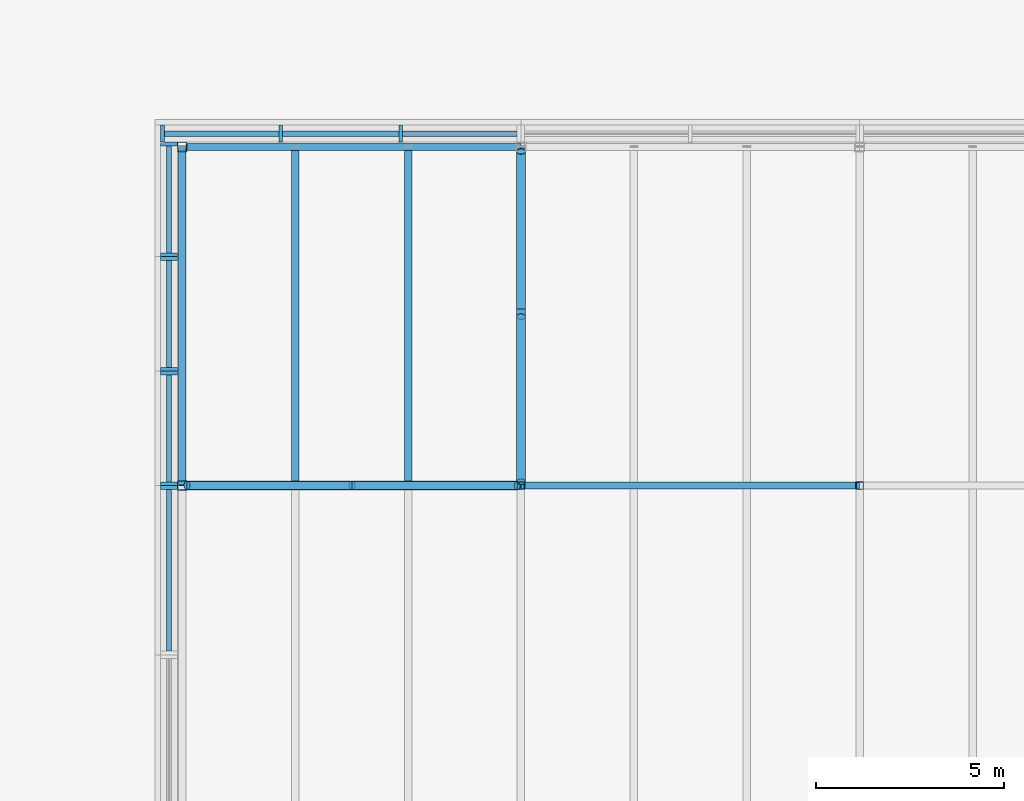
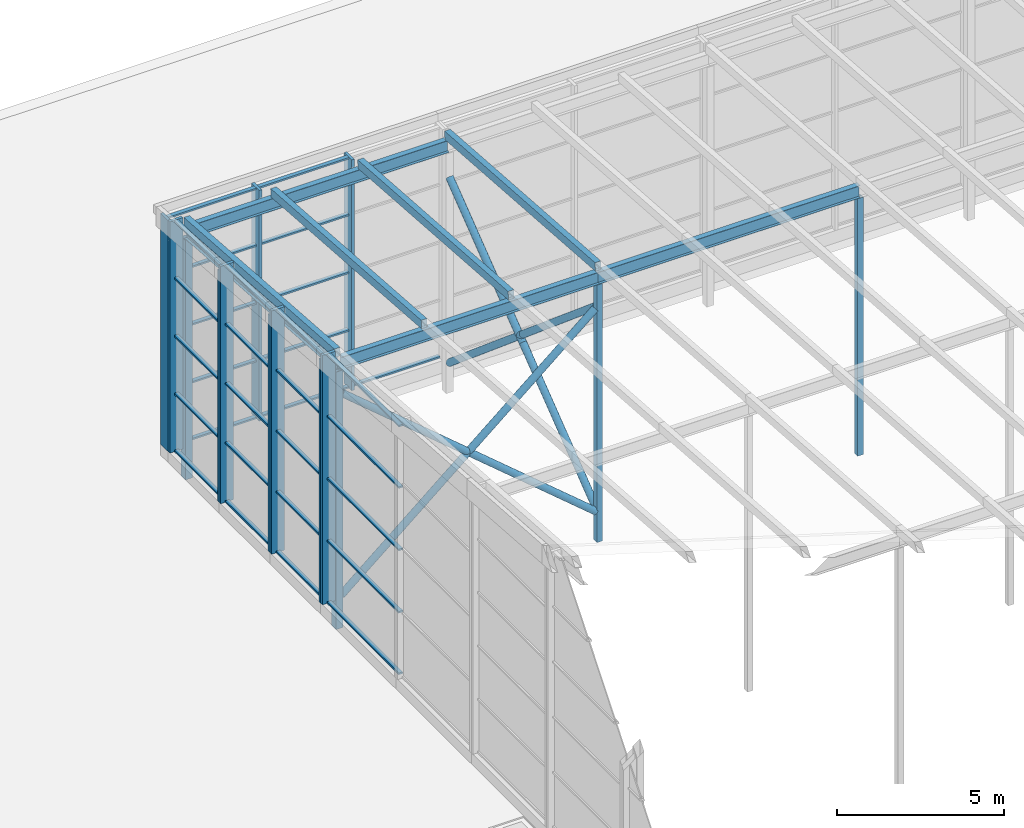
# One storey, part 35 of 84: 57 members, 4 beams, 5 elements without a shape of their own.
"""IFC4 building model written with IfcOpenShell, lengths in metres."""

import ifcopenshell
import ifcopenshell.guid

model = None  # the IFC model being written
_history = None  # IfcOwnerHistory: only IFC2X3 demands one
_inside = {}  # id of a spatial element -> (the spatial element, [elements in it])
_under = {}  # id of a project, library or spatial element -> (it, [spatial elements below it])
_declared = {}  # id of a project -> (the project, [libraries it declares])
_typed = {}  # id of a type object -> (the type object, [elements of that type])
_made_of = {}  # id of a material, layer set ... -> (it, [elements and type objects made of it])


def new_model(schema):
    """Start an empty IFC model of exactly this schema.

    Asked for "IFC4X3", IfcOpenShell would pick the latest addendum, in which some entities
    have other attributes; the version numbers below select the first issue.
    IFC2X3 requires an IfcOwnerHistory on every rooted entity: one is made here for all.
    """
    global model, _history
    if schema == "IFC4X3":
        model = ifcopenshell.file(schema_version=(4, 3, 0, 0))
    else:
        model = ifcopenshell.file(schema=schema)
    _inside.clear()
    _under.clear()
    _declared.clear()
    _typed.clear()
    _made_of.clear()
    _history = None
    if model.schema == "IFC2X3":
        org = make("IfcOrganization", Name="unknown")
        user = make(
            "IfcPersonAndOrganization",
            ThePerson=make("IfcPerson", FamilyName="unknown"),
            TheOrganization=org,
        )
        app = make(
            "IfcApplication",
            ApplicationDeveloper=org,
            Version="unknown",
            ApplicationFullName="unknown",
            ApplicationIdentifier="unknown",
        )
        _history = make(
            "IfcOwnerHistory",
            OwningUser=user,
            OwningApplication=app,
            ChangeAction="ADDED",
            CreationDate=0,
        )
    return model


def make(cls, **values):
    """One entity of the class cls with the attributes given. An attribute that is None is left unset."""
    return model.create_entity(
        cls, **{name: value for name, value in values.items() if value is not None}
    )


def rooted(cls, **values):
    """An entity with a GlobalId (a new one), such as an element, a storey or a relation."""
    return make(cls, GlobalId=ifcopenshell.guid.new(), OwnerHistory=_history, **values)


def si_unit(unit_type, name, prefix=None):
    """IfcSIUnit, for example si_unit("LENGTHUNIT", "METRE", prefix="MILLI")."""
    return make("IfcSIUnit", UnitType=unit_type, Prefix=prefix, Name=name)


def assignment(units):
    """IfcUnitAssignment: the units of a project."""
    return None if units is None else make("IfcUnitAssignment", Units=units)


def point(xyz):
    """IfcCartesianPoint."""
    return None if xyz is None else make("IfcCartesianPoint", Coordinates=xyz)


def direction(xyz):
    """IfcDirection."""
    return None if xyz is None else make("IfcDirection", DirectionRatios=xyz)


def frame(location, z_axis=None, x_axis=None):
    """IfcAxis2Placement3D, a coordinate frame: its origin and axes. An axis left out is left unset."""
    return make(
        "IfcAxis2Placement3D",
        Location=point(location),
        Axis=direction(z_axis),
        RefDirection=direction(x_axis),
    )


def frame_2d(location, x_axis=None):
    """IfcAxis2Placement2D, a coordinate frame in the plane: its origin and x axis."""
    return make(
        "IfcAxis2Placement2D", Location=point(location), RefDirection=direction(x_axis)
    )


def origin():
    """The frame at (0, 0, 0) with its axes left unset."""
    return frame((0.0, 0.0, 0.0))


def origin_2d():
    """The frame at (0, 0) in the plane with its x axis left unset."""
    return frame_2d((0.0, 0.0))


def place(relative_to, where):
    """IfcLocalPlacement: puts the frame where relative to a parent placement (None: the world)."""
    return make(
        "IfcLocalPlacement", PlacementRelTo=relative_to, RelativePlacement=where
    )


def context(
    kind, dimensions, precision=None, world=None, true_north=None, identifier=None
):
    """IfcGeometricRepresentationContext, for example the 3D "Model" context."""
    return make(
        "IfcGeometricRepresentationContext",
        ContextIdentifier=identifier,
        ContextType=kind,
        CoordinateSpaceDimension=dimensions,
        Precision=precision,
        WorldCoordinateSystem=world,
        TrueNorth=true_north,
    )


def subcontext(parent, identifier, kind, view, scale=None):
    """IfcGeometricRepresentationSubContext, for example "Body" below "Model"."""
    return make(
        "IfcGeometricRepresentationSubContext",
        ContextIdentifier=identifier,
        ContextType=kind,
        ParentContext=parent,
        TargetScale=scale,
        TargetView=view,
    )


def project(units=None, contexts=None):
    """IfcProject with its units and contexts."""
    return rooted(
        "IfcProject",
        Name="project",
        RepresentationContexts=contexts,
        UnitsInContext=assignment(units),
    )


def spatial(cls, under=None, at=None, **own):
    """A site, building, storey or space (cls), placed at a placement, below another one or the project."""
    s = rooted(cls, ObjectPlacement=at, **own)
    if under is not None:
        _under.setdefault(under.id(), (under, []))[1].append(s)
    return s


def profile(cls, at=None, kind="AREA", **sizes):
    """A parametric profile (cls). Its sizes go by their IFC names, for example OverallWidth=200.0."""
    return make(cls, ProfileType=kind, Position=at, **sizes)


def rectangle(**sizes):
    """IfcRectangleProfileDef."""
    return profile("IfcRectangleProfileDef", **sizes)


def hollow_rectangle(**sizes):
    """IfcRectangleHollowProfileDef."""
    return profile("IfcRectangleHollowProfileDef", **sizes)


def hollow_circle(**sizes):
    """IfcCircleHollowProfileDef."""
    return profile("IfcCircleHollowProfileDef", **sizes)


def i_section(**sizes):
    """IfcIShapeProfileDef."""
    return profile("IfcIShapeProfileDef", **sizes)


def extrude(swept, where, along, depth):
    """IfcExtrudedAreaSolid: the profile swept, set in the frame where, extruded along a direction by depth."""
    return make(
        "IfcExtrudedAreaSolid",
        SweptArea=swept,
        Position=where,
        ExtrudedDirection=direction(along),
        Depth=depth,
    )


def shape(context_of_items, identifier, shape_type, items):
    """IfcShapeRepresentation: the items that make up one representation, for example the "Body"."""
    return make(
        "IfcShapeRepresentation",
        ContextOfItems=context_of_items,
        RepresentationIdentifier=identifier,
        RepresentationType=shape_type,
        Items=items,
    )


def material(Name=None, Category=None):
    """IfcMaterial."""
    return make("IfcMaterial", Name=Name, Category=Category)


def material_profile(
    of_material, cross_section, Name=None, Category=None, Priority=None
):
    """IfcMaterialProfile: a cross section and its material."""
    return make(
        "IfcMaterialProfile",
        Name=Name,
        Material=of_material,
        Profile=cross_section,
        Priority=Priority,
        Category=Category,
    )


def profile_set(profiles, Name=None, composite=None):
    """IfcMaterialProfileSet."""
    return make(
        "IfcMaterialProfileSet",
        Name=Name,
        MaterialProfiles=profiles,
        CompositeProfile=composite,
    )


def made_of(thing, what):
    """Note that an element or type object is made of a material, layer set ...; save() writes the relation."""
    if what is not None:
        _made_of.setdefault(what.id(), (what, []))[1].append(thing)
    return thing


def type_object(cls, material=None, **own):
    """A type object (cls), such as IfcWallType, which elements share."""
    return made_of(rooted(cls, **own), material)


def element(
    cls,
    number,
    at=None,
    inside=None,
    cuts=None,
    type_object=None,
    material=None,
    context=None,
    identifier="Body",
    shape_type=None,
    held_by="IfcProductDefinitionShape",
    body=None,
    shapes=None,
    **own,
):
    """One element of the class cls, such as IfcWall. Its Tag is "e" and its number.

    at: its placement. inside: the storey or other place that contains it. cuts: it is an
    opening in that element (IfcRelVoidsElement). A single representation is given by context,
    identifier, shape_type and body (its items); several are given by shapes. held_by: the class
    of the entity that holds the representations. save() writes the other relations.
    """
    e = rooted(cls, Tag="e%d" % number, ObjectPlacement=at, **own)
    if body is not None:
        shapes = [shape(context, identifier, shape_type, body)]
    if shapes is not None:
        e.Representation = make(held_by, Representations=shapes)
    if inside is not None:
        _inside.setdefault(inside.id(), (inside, []))[1].append(e)
    if cuts is not None:
        rooted(
            "IfcRelVoidsElement", RelatingBuildingElement=cuts, RelatedOpeningElement=e
        )
    if type_object is not None:
        _typed.setdefault(type_object.id(), (type_object, []))[1].append(e)
    return made_of(e, material)


def aggregate(whole, parts):
    """IfcRelAggregates: a whole, such as a stair, and the parts it consists of."""
    return rooted("IfcRelAggregates", RelatingObject=whole, RelatedObjects=parts)


def save(model, path):
    """Write the relations noted so far, then the file.

    IfcRelAggregates (storeys below a building ...), IfcRelContainedInSpatialStructure (elements
    in a storey), IfcRelDefinesByType, IfcRelAssociatesMaterial and IfcRelDeclares: one each for
    every whole, place, type object, material and project.
    """
    for whole, parts in _under.values():
        aggregate(whole, parts)
    for where, things in _inside.values():
        rooted(
            "IfcRelContainedInSpatialStructure",
            RelatedElements=things,
            RelatingStructure=where,
        )
    for kind, things in _typed.values():
        rooted("IfcRelDefinesByType", RelatedObjects=things, RelatingType=kind)
    for what, things in _made_of.values():
        rooted("IfcRelAssociatesMaterial", RelatedObjects=things, RelatingMaterial=what)
    for by, libraries in _declared.values():
        rooted("IfcRelDeclares", RelatingContext=by, RelatedDefinitions=libraries)
    model.write(path)


model = new_model("IFC4")

# Units and contexts
model_context = context("Model", 3, precision=1e-05, world=origin(), true_north=direction((0.0, 1.0)))
body_context = subcontext(model_context, "Body", "Model", "MODEL_VIEW")
ifc_project = project(units=[si_unit("LENGTHUNIT", "METRE"), si_unit("AREAUNIT", "SQUARE_METRE"), si_unit("VOLUMEUNIT", "CUBIC_METRE"), si_unit("PLANEANGLEUNIT", "RADIAN"), si_unit("MASSUNIT", "GRAM", prefix="KILO")], contexts=[model_context])

# Site, building, storey
site_placement = place(None, origin())
site = spatial("IfcSite", under=ifc_project, at=site_placement, CompositionType="ELEMENT")
building_placement = place(site_placement, origin())
building = spatial("IfcBuilding", under=site, at=building_placement, Name="Silverbay Arena", CompositionType="ELEMENT")
storey_placement = place(building_placement, frame((0.0, 0.0, 47.10009765625)))
storey = spatial("IfcBuildingStorey", under=building, at=storey_placement, Name="ROOF", CompositionType="ELEMENT", Elevation=47.10009765625)

# Curtain wall, members
ifc_material_1 = material(Name="Aluminium framed glazing", Category="aluminium")
curtain_wall_type_1 = type_object("IfcCurtainWallType", Name="Curtain wall crown 9575 x 8425", PredefinedType="NOTDEFINED", material=ifc_material_1)
curtain_wall_1_placement = place(storey_placement, origin())
curtain_wall_1 = element("IfcCurtainWall", 1, at=curtain_wall_1_placement, inside=storey, type_object=curtain_wall_type_1, Name="ROOF CROWN CURTAIN WALL north bay 01", PredefinedType="NOTDEFINED")
ifc_material_2 = material(Name="Aluminium", Category="aluminium")
ifc_material_profile_1 = material_profile(ifc_material_2, rectangle(XDim=0.449951171875, YDim=0.10009765625, at=origin_2d()), Name="Mullion 100 x 450")
ifc_profile_set_1 = profile_set([ifc_material_profile_1], Name="Aluminium")
member_type_1 = type_object("IfcMemberType", Name="Mullion 100 x 450", PredefinedType="MULLION", material=ifc_profile_set_1)
placement = place(building_placement, frame((0.0, 0.0, 33.5)))
member_1_placement = place(placement, frame((80.47509765625, 135.35009765625, 14.050048828125), z_axis=(0.0, 0.0, 1.0), x_axis=(0.0, 1.0, 0.0)))
member_1 = element("IfcMember", 2, at=member_1_placement, type_object=member_type_1, Name="CW61 mullion 1", PredefinedType="MULLION", context=body_context, shape_type="SweptSolid", body=[
    extrude(rectangle(XDim=0.449951171875, YDim=0.10009765625, at=origin_2d()), origin(), (0.0, 0.0, 1.0), 8.424560546875),
])
member_2_placement = place(placement, frame((83.61669921875, 135.35009765625, 14.050048828125), z_axis=(0.0, 0.0, 1.0), x_axis=(0.0, 1.0, 0.0)))
member_2 = element("IfcMember", 3, at=member_2_placement, type_object=member_type_1, Name="CW61 mullion 2", PredefinedType="MULLION", context=body_context, shape_type="SweptSolid", body=[
    extrude(rectangle(XDim=0.449951171875, YDim=0.10009765625, at=origin_2d()), origin(), (0.0, 0.0, 1.0), 8.424560546875),
])
member_3_placement = place(placement, frame((86.808349609375, 135.35009765625, 14.050048828125), z_axis=(0.0, 0.0, 1.0), x_axis=(0.0, 1.0, 0.0)))
member_3 = element("IfcMember", 4, at=member_3_placement, type_object=member_type_1, Name="CW61 mullion 3", PredefinedType="MULLION", context=body_context, shape_type="SweptSolid", body=[
    extrude(rectangle(XDim=0.449951171875, YDim=0.10009765625, at=origin_2d()), origin(), (0.0, 0.0, 1.0), 8.424560546875),
])

# Curtain wall, member
ifc_material_3 = material(Name="Aluminium framed glazing", Category="aluminium")
curtain_wall_type_2 = type_object("IfcCurtainWallType", Name="Curtain wall crown 4500 x 9100", PredefinedType="NOTDEFINED", material=ifc_material_3)
curtain_wall_2_placement = place(storey_placement, origin())
curtain_wall_2 = element("IfcCurtainWall", 5, at=curtain_wall_2_placement, inside=storey, type_object=curtain_wall_type_2, Name="ROOF CROWN CURTAIN WALL west bay 23", PredefinedType="NOTDEFINED")
member_4_placement = place(placement, frame((80.64990234375, 125.949951171875, 14.050048828125), z_axis=(0.0, 0.0, 1.0), x_axis=(-1.0, 0.0, 0.0)))
member_4 = element("IfcMember", 6, at=member_4_placement, type_object=member_type_1, Name="CW66 mullion 2", PredefinedType="MULLION", context=body_context, shape_type="SweptSolid", body=[
    extrude(rectangle(XDim=0.449951171875, YDim=0.10009765625, at=origin_2d()), origin(), (0.0, 0.0, 1.0), 9.099853515625),
])

# Curtain wall, members
ifc_material_4 = material(Name="Aluminium framed glazing", Category="aluminium")
curtain_wall_type_3 = type_object("IfcCurtainWallType", Name="Curtain wall crown 3042 x 8880", PredefinedType="NOTDEFINED", material=ifc_material_4)
curtain_wall_3_placement = place(storey_placement, origin())
curtain_wall_3 = element("IfcCurtainWall", 7, at=curtain_wall_3_placement, inside=storey, type_object=curtain_wall_type_3, Name="ROOF CROWN CURTAIN WALL west bay 24", PredefinedType="NOTDEFINED")
member_5_placement = place(placement, frame((80.64990234375, 126.050048828125, 14.050048828125), z_axis=(0.0, 0.0, 1.0), x_axis=(-1.0, 0.0, 0.0)))
member_5 = element("IfcMember", 8, at=member_5_placement, type_object=member_type_1, Name="CW65 mullion 1", PredefinedType="MULLION", context=body_context, shape_type="SweptSolid", body=[
    extrude(rectangle(XDim=0.449951171875, YDim=0.10009765625, at=origin_2d()), origin(), (0.0, 0.0, 1.0), 8.88037109375),
])
member_6_placement = place(placement, frame((80.64990234375, 128.99169921875, 14.050048828125), z_axis=(0.0, 0.0, 1.0), x_axis=(-1.0, 0.0, 0.0)))
member_6 = element("IfcMember", 9, at=member_6_placement, type_object=member_type_1, Name="CW65 mullion 2", PredefinedType="MULLION", context=body_context, shape_type="SweptSolid", body=[
    extrude(rectangle(XDim=0.449951171875, YDim=0.10009765625, at=origin_2d()), origin(), (0.0, 0.0, 1.0), 8.88037109375),
])

ifc_material_5 = material(Name="Aluminium framed glazing", Category="aluminium")
curtain_wall_type_4 = type_object("IfcCurtainWallType", Name="Curtain wall crown 3042 x 8661", PredefinedType="NOTDEFINED", material=ifc_material_5)
curtain_wall_4_placement = place(storey_placement, origin())
curtain_wall_4 = element("IfcCurtainWall", 10, at=curtain_wall_4_placement, inside=storey, type_object=curtain_wall_type_4, Name="ROOF CROWN CURTAIN WALL west bay 25", PredefinedType="NOTDEFINED")
member_7_placement = place(placement, frame((80.64990234375, 129.091552734375, 14.050048828125), z_axis=(0.0, 0.0, 1.0), x_axis=(-1.0, 0.0, 0.0)))
member_7 = element("IfcMember", 11, at=member_7_placement, type_object=member_type_1, Name="CW64 mullion 1", PredefinedType="MULLION", context=body_context, shape_type="SweptSolid", body=[
    extrude(rectangle(XDim=0.449951171875, YDim=0.10009765625, at=origin_2d()), origin(), (0.0, 0.0, 1.0), 8.66064453125),
])
member_8_placement = place(placement, frame((80.64990234375, 132.033447265625, 14.050048828125), z_axis=(0.0, 0.0, 1.0), x_axis=(-1.0, 0.0, 0.0)))
member_8 = element("IfcMember", 12, at=member_8_placement, type_object=member_type_1, Name="CW64 mullion 2", PredefinedType="MULLION", context=body_context, shape_type="SweptSolid", body=[
    extrude(rectangle(XDim=0.449951171875, YDim=0.10009765625, at=origin_2d()), origin(), (0.0, 0.0, 1.0), 8.66064453125),
])

ifc_material_6 = material(Name="Aluminium framed glazing", Category="aluminium")
curtain_wall_type_5 = type_object("IfcCurtainWallType", Name="Curtain wall crown 3042 x 8441", PredefinedType="NOTDEFINED", material=ifc_material_6)
curtain_wall_5_placement = place(storey_placement, origin())
curtain_wall_5 = element("IfcCurtainWall", 13, at=curtain_wall_5_placement, inside=storey, type_object=curtain_wall_type_5, Name="ROOF CROWN CURTAIN WALL west bay 26", PredefinedType="NOTDEFINED")
member_9_placement = place(placement, frame((80.64990234375, 132.13330078125, 14.050048828125), z_axis=(0.0, 0.0, 1.0), x_axis=(-1.0, 0.0, 0.0)))
member_9 = element("IfcMember", 14, at=member_9_placement, type_object=member_type_1, Name="CW63 mullion 1", PredefinedType="MULLION", context=body_context, shape_type="SweptSolid", body=[
    extrude(rectangle(XDim=0.449951171875, YDim=0.10009765625, at=origin_2d()), origin(), (0.0, 0.0, 1.0), 8.44091796875),
])
member_10_placement = place(placement, frame((80.64990234375, 135.074951171875, 14.050048828125), z_axis=(0.0, 0.0, 1.0), x_axis=(-1.0, 0.0, 0.0)))
member_10 = element("IfcMember", 15, at=member_10_placement, type_object=member_type_1, Name="CW63 mullion 2", PredefinedType="MULLION", context=body_context, shape_type="SweptSolid", body=[
    extrude(rectangle(XDim=0.449951171875, YDim=0.10009765625, at=origin_2d()), origin(), (0.0, 0.0, 1.0), 8.44091796875),
])

# Members
ifc_material_7 = material(Name="Steel S355", Category="steel")
ifc_material_profile_2 = material_profile(ifc_material_7, hollow_rectangle(XDim=0.199951171875, YDim=0.300048828125, WallThickness=0.00634765625, at=origin_2d()), Name="RHS 300x200x6.3")
ifc_profile_set_2 = profile_set([ifc_material_profile_2], Name="Steel S355")
member_type_2 = type_object("IfcMemberType", Name="Purlin RHS 300x200x6.3", PredefinedType="PURLIN", material=ifc_profile_set_2)
for number, where, z_axis, x_axis, name in (
    (16, (84.0, 126.0, 9.3994140625), (0.0, 0.997402911363, -0.072023832195), (-1.0, 0.0, 0.0), "ROOF PURLIN crown line 02 bay 12"),
    (17, (87.0, 126.0, 9.3994140625), (0.0, 0.997402911363, -0.072023832195), (-1.0, 0.0, 0.0), "ROOF PURLIN crown line 03 bay 12"),
    (18, (90.0, 126.0, 9.3994140625), (0.0, 0.997402911363, -0.072023832195), (-1.0, 0.0, 0.0), "ROOF PURLIN crown line 04 bay 12"),
):
    element("IfcMember", number, at=place(storey_placement, frame(where, z_axis=z_axis, x_axis=x_axis)), inside=storey, type_object=member_type_2, Name=name, PredefinedType="PURLIN", context=body_context, shape_type="SweptSolid", body=[
        extrude(hollow_rectangle(XDim=0.199951171875, YDim=0.300048828125, WallThickness=0.00634765625, at=origin_2d()), origin(), (0.0, 0.0, 1.0), 9.0234375),
    ])
ifc_material_8 = material(Name="Steel S355", Category="steel")
ifc_material_profile_3 = material_profile(ifc_material_8, hollow_rectangle(XDim=0.199951171875, YDim=0.300048828125, WallThickness=0.008056640625, at=origin_2d()), Name="RHS 300x200x8")
ifc_profile_set_3 = profile_set([ifc_material_profile_3], Name="Steel S355")
member_type_3 = type_object("IfcMemberType", Name="Purlin RHS 300x200x8", PredefinedType="PURLIN", material=ifc_profile_set_3)
member_11_placement = place(storey_placement, frame((81.0, 126.0, 9.3994140625), z_axis=(0.0, 0.997402911363, -0.072023832195), x_axis=(-1.0, 0.0, 0.0)))
element("IfcMember", 19, at=member_11_placement, inside=storey, type_object=member_type_3, Name="ROOF PURLIN crown line 01 bay 12", PredefinedType="PURLIN", context=body_context, shape_type="SweptSolid", body=[
    extrude(hollow_rectangle(XDim=0.199951171875, YDim=0.300048828125, WallThickness=0.008056640625, at=origin_2d()), origin(), (0.0, 0.0, 1.0), 9.0234375),
])

# Beams
ifc_material_9 = material(Name="Steel S355", Category="steel")
ifc_material_profile_4 = material_profile(ifc_material_9, i_section(OverallWidth=0.18994140625, OverallDepth=0.453369140625, WebThickness=0.008544921875, FlangeThickness=0.0126953125, at=origin_2d()), Name="UB 457x191x67")
ifc_profile_set_4 = profile_set([ifc_material_profile_4], Name="Steel S355")
beam_type = type_object("IfcBeamType", Name="Ring beam UB 457x191x67", PredefinedType="BEAM", material=ifc_profile_set_4)
beam_1_placement = place(storey_placement, frame((81.094970703125, 126.0, 9.0224609375), z_axis=(1.0, 0.0, 0.0), x_axis=(0.0, 1.0, 0.0)))
element("IfcBeam", 20, at=beam_1_placement, inside=storey, type_object=beam_type, Name="RING BEAM crown row 12 10-11", PredefinedType="BEAM", context=body_context, shape_type="SweptSolid", body=[
    extrude(i_section(OverallWidth=0.18994140625, OverallDepth=0.453369140625, WebThickness=0.008544921875, FlangeThickness=0.0126953125, at=origin_2d()), origin(), (0.0, 0.0, 1.0), 8.905029296875),
])
beam_2_placement = place(storey_placement, frame((90.0, 126.0, 9.0224609375), z_axis=(1.0, 0.0, 0.0), x_axis=(0.0, 1.0, 0.0)))
element("IfcBeam", 21, at=beam_2_placement, inside=storey, type_object=beam_type, Name="RING BEAM crown row 12 11-12", PredefinedType="BEAM", context=body_context, shape_type="SweptSolid", body=[
    extrude(i_section(OverallWidth=0.18994140625, OverallDepth=0.453369140625, WebThickness=0.008544921875, FlangeThickness=0.0126953125, at=origin_2d()), origin(), (0.0, 0.0, 1.0), 9.0),
])
beam_3_placement = place(storey_placement, frame((81.094970703125, 135.0, 8.372314453125), z_axis=(1.0, 0.0, 0.0), x_axis=(0.0, 1.0, 0.0)))
element("IfcBeam", 22, at=beam_3_placement, inside=storey, type_object=beam_type, Name="RING BEAM crown row 13 10-11", PredefinedType="BEAM", context=body_context, shape_type="SweptSolid", body=[
    extrude(i_section(OverallWidth=0.18994140625, OverallDepth=0.453369140625, WebThickness=0.008544921875, FlangeThickness=0.0126953125, at=origin_2d()), origin(), (0.0, 0.0, 1.0), 8.905029296875),
])
beam_4_placement = place(storey_placement, frame((81.0, 126.0, 9.0224609375), z_axis=(0.0, 0.997400967367, -0.07205074805), x_axis=(-1.0, 0.0, 0.0)))
element("IfcBeam", 23, at=beam_4_placement, inside=storey, type_object=beam_type, Name="RING BEAM crown west edge 12", PredefinedType="BEAM", context=body_context, shape_type="SweptSolid", body=[
    extrude(i_section(OverallWidth=0.18994140625, OverallDepth=0.453369140625, WebThickness=0.008544921875, FlangeThickness=0.0126953125, at=origin_2d()), origin(), (0.0, 0.0, 1.0), 9.0234375),
])

# Members
ifc_material_10 = material(Name="Steel S355", Category="steel")
ifc_material_profile_5 = material_profile(ifc_material_10, hollow_rectangle(XDim=0.199951171875, YDim=0.199951171875, WallThickness=0.008056640625, at=origin_2d()), Name="SHS 200x200x8")
ifc_profile_set_5 = profile_set([ifc_material_profile_5], Name="Steel S355")
member_type_4 = type_object("IfcMemberType", Name="Roof post SHS 200x200x8", PredefinedType="POST", material=ifc_profile_set_5)
for number, where, z_axis, x_axis, name in (
    (24, (90.0, 126.0, -0.60009765625), (0.0, 0.0, 1.0), (1.0, 0.0, 0.0), "ROOF CROWN POST 11 row 12"),
    (25, (99.0, 126.0, -0.60009765625), (0.0, 0.0, 1.0), (1.0, 0.0, 0.0), "ROOF CROWN POST 12 row 12"),
):
    element("IfcMember", number, at=place(storey_placement, frame(where, z_axis=z_axis, x_axis=x_axis)), inside=storey, type_object=member_type_4, Name=name, PredefinedType="POST", context=body_context, shape_type="SweptSolid", body=[
        extrude(hollow_rectangle(XDim=0.199951171875, YDim=0.199951171875, WallThickness=0.008056640625, at=origin_2d()), origin(), (0.0, 0.0, 1.0), 9.395751953125),
    ])
ifc_material_11 = material(Name="Steel S355", Category="steel")
ifc_material_profile_6 = material_profile(ifc_material_11, hollow_rectangle(XDim=0.25, YDim=0.25, WallThickness=0.008056640625, at=origin_2d()), Name="SHS 250x250x8")
ifc_profile_set_6 = profile_set([ifc_material_profile_6], Name="Steel S355")
member_type_5 = type_object("IfcMemberType", Name="Roof post SHS 250x250x8", PredefinedType="POST", material=ifc_profile_set_6)
member_12_placement = place(storey_placement, frame((81.0, 126.0, -0.60009765625), z_axis=(0.0, 0.0, 1.0), x_axis=(1.0, 0.0, 0.0)))
element("IfcMember", 26, at=member_12_placement, inside=storey, type_object=member_type_5, Name="ROOF CROWN POST 10 row 12", PredefinedType="POST", context=body_context, shape_type="SweptSolid", body=[
    extrude(hollow_rectangle(XDim=0.25, YDim=0.25, WallThickness=0.008056640625, at=origin_2d()), origin(), (0.0, 0.0, 1.0), 9.395751953125),
])
member_13_placement = place(storey_placement, frame((81.0, 135.0, -0.60009765625), z_axis=(0.0, 0.0, 1.0), x_axis=(1.0, 0.0, 0.0)))
element("IfcMember", 27, at=member_13_placement, inside=storey, type_object=member_type_5, Name="ROOF CROWN POST 10 row 13", PredefinedType="POST", context=body_context, shape_type="SweptSolid", body=[
    extrude(hollow_rectangle(XDim=0.25, YDim=0.25, WallThickness=0.008056640625, at=origin_2d()), origin(), (0.0, 0.0, 1.0), 8.745849609375),
])

# Member
ifc_material_12 = material(Name="Aluminium", Category="aluminium")
ifc_material_profile_7 = material_profile(ifc_material_12, rectangle(XDim=0.139892578125, YDim=0.06005859375, at=origin_2d()), Name="Transom 60 x 140")
ifc_profile_set_7 = profile_set([ifc_material_profile_7], Name="Aluminium")
member_type_6 = type_object("IfcMemberType", Name="Transom 60 x 140", PredefinedType="USERDEFINED", material=ifc_profile_set_7)
member_14_placement = place(placement, frame((80.52490234375, 135.35009765625, 14.080078125), z_axis=(1.0, 0.0, 0.0), x_axis=(0.0, 1.0, 0.0)))
member_14 = element("IfcMember", 28, at=member_14_placement, type_object=member_type_6, Name="CW61 transom 1.1", ObjectType="TRANSOM", PredefinedType="USERDEFINED", context=body_context, shape_type="SweptSolid", body=[
    extrude(rectangle(XDim=0.139892578125, YDim=0.06005859375, at=origin_2d()), origin(), (0.0, 0.0, 1.0), 3.041748046875),
])

member_15_placement = place(placement, frame((80.52490234375, 135.35009765625, 16.15625), z_axis=(1.0, 0.0, 0.0), x_axis=(0.0, 1.0, 0.0)))
member_15 = element("IfcMember", 29, at=member_15_placement, type_object=member_type_6, Name="CW61 transom 1.2", ObjectType="TRANSOM", PredefinedType="USERDEFINED", context=body_context, shape_type="SweptSolid", body=[
    extrude(rectangle(XDim=0.139892578125, YDim=0.06005859375, at=origin_2d()), origin(), (0.0, 0.0, 1.0), 3.041748046875),
])

member_16_placement = place(placement, frame((80.52490234375, 135.35009765625, 18.262451171875), z_axis=(1.0, 0.0, 0.0), x_axis=(0.0, 1.0, 0.0)))
member_16 = element("IfcMember", 30, at=member_16_placement, type_object=member_type_6, Name="CW61 transom 1.3", ObjectType="TRANSOM", PredefinedType="USERDEFINED", context=body_context, shape_type="SweptSolid", body=[
    extrude(rectangle(XDim=0.139892578125, YDim=0.06005859375, at=origin_2d()), origin(), (0.0, 0.0, 1.0), 3.041748046875),
])

member_17_placement = place(placement, frame((80.52490234375, 135.35009765625, 20.36865234375), z_axis=(1.0, 0.0, 0.0), x_axis=(0.0, 1.0, 0.0)))
member_17 = element("IfcMember", 31, at=member_17_placement, type_object=member_type_6, Name="CW61 transom 1.4", ObjectType="TRANSOM", PredefinedType="USERDEFINED", context=body_context, shape_type="SweptSolid", body=[
    extrude(rectangle(XDim=0.139892578125, YDim=0.06005859375, at=origin_2d()), origin(), (0.0, 0.0, 1.0), 3.041748046875),
])

member_18_placement = place(placement, frame((80.52490234375, 135.35009765625, 22.44482421875), z_axis=(1.0, 0.0, 0.0), x_axis=(0.0, 1.0, 0.0)))
member_18 = element("IfcMember", 32, at=member_18_placement, type_object=member_type_6, Name="CW61 transom 1.5", ObjectType="TRANSOM", PredefinedType="USERDEFINED", context=body_context, shape_type="SweptSolid", body=[
    extrude(rectangle(XDim=0.139892578125, YDim=0.06005859375, at=origin_2d()), origin(), (0.0, 0.0, 1.0), 3.041748046875),
])

member_19_placement = place(placement, frame((83.666748046875, 135.35009765625, 14.080078125), z_axis=(1.0, 0.0, 0.0), x_axis=(0.0, 1.0, 0.0)))
member_19 = element("IfcMember", 33, at=member_19_placement, type_object=member_type_6, Name="CW61 transom 2.1", ObjectType="TRANSOM", PredefinedType="USERDEFINED", context=body_context, shape_type="SweptSolid", body=[
    extrude(rectangle(XDim=0.139892578125, YDim=0.06005859375, at=origin_2d()), origin(), (0.0, 0.0, 1.0), 3.091552734375),
])

member_20_placement = place(placement, frame((83.666748046875, 135.35009765625, 16.15625), z_axis=(1.0, 0.0, 0.0), x_axis=(0.0, 1.0, 0.0)))
member_20 = element("IfcMember", 34, at=member_20_placement, type_object=member_type_6, Name="CW61 transom 2.2", ObjectType="TRANSOM", PredefinedType="USERDEFINED", context=body_context, shape_type="SweptSolid", body=[
    extrude(rectangle(XDim=0.139892578125, YDim=0.06005859375, at=origin_2d()), origin(), (0.0, 0.0, 1.0), 3.091552734375),
])

member_21_placement = place(placement, frame((83.666748046875, 135.35009765625, 18.262451171875), z_axis=(1.0, 0.0, 0.0), x_axis=(0.0, 1.0, 0.0)))
member_21 = element("IfcMember", 35, at=member_21_placement, type_object=member_type_6, Name="CW61 transom 2.3", ObjectType="TRANSOM", PredefinedType="USERDEFINED", context=body_context, shape_type="SweptSolid", body=[
    extrude(rectangle(XDim=0.139892578125, YDim=0.06005859375, at=origin_2d()), origin(), (0.0, 0.0, 1.0), 3.091552734375),
])

member_22_placement = place(placement, frame((83.666748046875, 135.35009765625, 20.36865234375), z_axis=(1.0, 0.0, 0.0), x_axis=(0.0, 1.0, 0.0)))
member_22 = element("IfcMember", 36, at=member_22_placement, type_object=member_type_6, Name="CW61 transom 2.4", ObjectType="TRANSOM", PredefinedType="USERDEFINED", context=body_context, shape_type="SweptSolid", body=[
    extrude(rectangle(XDim=0.139892578125, YDim=0.06005859375, at=origin_2d()), origin(), (0.0, 0.0, 1.0), 3.091552734375),
])

member_23_placement = place(placement, frame((83.666748046875, 135.35009765625, 22.44482421875), z_axis=(1.0, 0.0, 0.0), x_axis=(0.0, 1.0, 0.0)))
member_23 = element("IfcMember", 37, at=member_23_placement, type_object=member_type_6, Name="CW61 transom 2.5", ObjectType="TRANSOM", PredefinedType="USERDEFINED", context=body_context, shape_type="SweptSolid", body=[
    extrude(rectangle(XDim=0.139892578125, YDim=0.06005859375, at=origin_2d()), origin(), (0.0, 0.0, 1.0), 3.091552734375),
])

member_24_placement = place(placement, frame((86.8583984375, 135.35009765625, 14.080078125), z_axis=(1.0, 0.0, 0.0), x_axis=(0.0, 1.0, 0.0)))
member_24 = element("IfcMember", 38, at=member_24_placement, type_object=member_type_6, Name="CW61 transom 3.1", ObjectType="TRANSOM", PredefinedType="USERDEFINED", context=body_context, shape_type="SweptSolid", body=[
    extrude(rectangle(XDim=0.139892578125, YDim=0.06005859375, at=origin_2d()), origin(), (0.0, 0.0, 1.0), 3.04150390625),
])

aggregate(curtain_wall_1, [member_1, member_2, member_3, member_14, member_15, member_16, member_17, member_18, member_19, member_20, member_21, member_22, member_23, member_24])

member_25_placement = place(placement, frame((80.64990234375, 121.60009765625, 14.080078125), z_axis=(0.0, 1.0, 0.0), x_axis=(-1.0, 0.0, 0.0)))
member_25 = element("IfcMember", 39, at=member_25_placement, type_object=member_type_6, Name="CW66 transom 1.1", ObjectType="TRANSOM", PredefinedType="USERDEFINED", context=body_context, shape_type="SweptSolid", body=[
    extrude(rectangle(XDim=0.139892578125, YDim=0.06005859375, at=origin_2d()), origin(), (0.0, 0.0, 1.0), 4.2998046875),
])

member_26_placement = place(placement, frame((80.64990234375, 121.60009765625, 16.324951171875), z_axis=(0.0, 1.0, 0.0), x_axis=(-1.0, 0.0, 0.0)))
member_26 = element("IfcMember", 40, at=member_26_placement, type_object=member_type_6, Name="CW66 transom 1.2", ObjectType="TRANSOM", PredefinedType="USERDEFINED", context=body_context, shape_type="SweptSolid", body=[
    extrude(rectangle(XDim=0.139892578125, YDim=0.06005859375, at=origin_2d()), origin(), (0.0, 0.0, 1.0), 4.2998046875),
])

member_27_placement = place(placement, frame((80.64990234375, 121.60009765625, 18.60009765625), z_axis=(0.0, 1.0, 0.0), x_axis=(-1.0, 0.0, 0.0)))
member_27 = element("IfcMember", 41, at=member_27_placement, type_object=member_type_6, Name="CW66 transom 1.3", ObjectType="TRANSOM", PredefinedType="USERDEFINED", context=body_context, shape_type="SweptSolid", body=[
    extrude(rectangle(XDim=0.139892578125, YDim=0.06005859375, at=origin_2d()), origin(), (0.0, 0.0, 1.0), 4.2998046875),
])

member_28_placement = place(placement, frame((80.64990234375, 121.60009765625, 20.875), z_axis=(0.0, 1.0, 0.0), x_axis=(-1.0, 0.0, 0.0)))
member_28 = element("IfcMember", 42, at=member_28_placement, type_object=member_type_6, Name="CW66 transom 1.4", ObjectType="TRANSOM", PredefinedType="USERDEFINED", context=body_context, shape_type="SweptSolid", body=[
    extrude(rectangle(XDim=0.139892578125, YDim=0.06005859375, at=origin_2d()), origin(), (0.0, 0.0, 1.0), 4.2998046875),
])

member_29_placement = place(placement, frame((80.64990234375, 121.60009765625, 23.1201171875), z_axis=(0.0, 1.0, 0.0), x_axis=(-1.0, 0.0, 0.0)))
member_29 = element("IfcMember", 43, at=member_29_placement, type_object=member_type_6, Name="CW66 transom 1.5", ObjectType="TRANSOM", PredefinedType="USERDEFINED", context=body_context, shape_type="SweptSolid", body=[
    extrude(rectangle(XDim=0.139892578125, YDim=0.06005859375, at=origin_2d()), origin(), (0.0, 0.0, 1.0), 4.2998046875),
])

aggregate(curtain_wall_2, [member_4, member_25, member_26, member_27, member_28, member_29])

member_30_placement = place(placement, frame((80.64990234375, 126.10009765625, 14.080078125), z_axis=(0.0, 1.0, 0.0), x_axis=(-1.0, 0.0, 0.0)))
member_30 = element("IfcMember", 44, at=member_30_placement, type_object=member_type_6, Name="CW65 transom 1.1", ObjectType="TRANSOM", PredefinedType="USERDEFINED", context=body_context, shape_type="SweptSolid", body=[
    extrude(rectangle(XDim=0.139892578125, YDim=0.06005859375, at=origin_2d()), origin(), (0.0, 0.0, 1.0), 2.841552734375),
])

member_31_placement = place(placement, frame((80.64990234375, 126.10009765625, 16.27001953125), z_axis=(0.0, 1.0, 0.0), x_axis=(-1.0, 0.0, 0.0)))
member_31 = element("IfcMember", 45, at=member_31_placement, type_object=member_type_6, Name="CW65 transom 1.2", ObjectType="TRANSOM", PredefinedType="USERDEFINED", context=body_context, shape_type="SweptSolid", body=[
    extrude(rectangle(XDim=0.139892578125, YDim=0.06005859375, at=origin_2d()), origin(), (0.0, 0.0, 1.0), 2.841552734375),
])

member_32_placement = place(placement, frame((80.64990234375, 126.10009765625, 18.490234375), z_axis=(0.0, 1.0, 0.0), x_axis=(-1.0, 0.0, 0.0)))
member_32 = element("IfcMember", 46, at=member_32_placement, type_object=member_type_6, Name="CW65 transom 1.3", ObjectType="TRANSOM", PredefinedType="USERDEFINED", context=body_context, shape_type="SweptSolid", body=[
    extrude(rectangle(XDim=0.139892578125, YDim=0.06005859375, at=origin_2d()), origin(), (0.0, 0.0, 1.0), 2.841552734375),
])

member_33_placement = place(placement, frame((80.64990234375, 126.10009765625, 20.710205078125), z_axis=(0.0, 1.0, 0.0), x_axis=(-1.0, 0.0, 0.0)))
member_33 = element("IfcMember", 47, at=member_33_placement, type_object=member_type_6, Name="CW65 transom 1.4", ObjectType="TRANSOM", PredefinedType="USERDEFINED", context=body_context, shape_type="SweptSolid", body=[
    extrude(rectangle(XDim=0.139892578125, YDim=0.06005859375, at=origin_2d()), origin(), (0.0, 0.0, 1.0), 2.841552734375),
])

member_34_placement = place(placement, frame((80.64990234375, 126.10009765625, 22.900390625), z_axis=(0.0, 1.0, 0.0), x_axis=(-1.0, 0.0, 0.0)))
member_34 = element("IfcMember", 48, at=member_34_placement, type_object=member_type_6, Name="CW65 transom 1.5", ObjectType="TRANSOM", PredefinedType="USERDEFINED", context=body_context, shape_type="SweptSolid", body=[
    extrude(rectangle(XDim=0.139892578125, YDim=0.06005859375, at=origin_2d()), origin(), (0.0, 0.0, 1.0), 2.841552734375),
])

aggregate(curtain_wall_3, [member_5, member_6, member_30, member_31, member_32, member_33, member_34])

member_35_placement = place(placement, frame((80.64990234375, 129.1416015625, 14.080078125), z_axis=(0.0, 1.0, 0.0), x_axis=(-1.0, 0.0, 0.0)))
member_35 = element("IfcMember", 49, at=member_35_placement, type_object=member_type_6, Name="CW64 transom 1.1", ObjectType="TRANSOM", PredefinedType="USERDEFINED", context=body_context, shape_type="SweptSolid", body=[
    extrude(rectangle(XDim=0.139892578125, YDim=0.06005859375, at=origin_2d()), origin(), (0.0, 0.0, 1.0), 2.841796875),
])

member_36_placement = place(placement, frame((80.64990234375, 129.1416015625, 16.215087890625), z_axis=(0.0, 1.0, 0.0), x_axis=(-1.0, 0.0, 0.0)))
member_36 = element("IfcMember", 50, at=member_36_placement, type_object=member_type_6, Name="CW64 transom 1.2", ObjectType="TRANSOM", PredefinedType="USERDEFINED", context=body_context, shape_type="SweptSolid", body=[
    extrude(rectangle(XDim=0.139892578125, YDim=0.06005859375, at=origin_2d()), origin(), (0.0, 0.0, 1.0), 2.841796875),
])

member_37_placement = place(placement, frame((80.64990234375, 129.1416015625, 18.38037109375), z_axis=(0.0, 1.0, 0.0), x_axis=(-1.0, 0.0, 0.0)))
member_37 = element("IfcMember", 51, at=member_37_placement, type_object=member_type_6, Name="CW64 transom 1.3", ObjectType="TRANSOM", PredefinedType="USERDEFINED", context=body_context, shape_type="SweptSolid", body=[
    extrude(rectangle(XDim=0.139892578125, YDim=0.06005859375, at=origin_2d()), origin(), (0.0, 0.0, 1.0), 2.841796875),
])

member_38_placement = place(placement, frame((80.64990234375, 129.1416015625, 20.54541015625), z_axis=(0.0, 1.0, 0.0), x_axis=(-1.0, 0.0, 0.0)))
member_38 = element("IfcMember", 52, at=member_38_placement, type_object=member_type_6, Name="CW64 transom 1.4", ObjectType="TRANSOM", PredefinedType="USERDEFINED", context=body_context, shape_type="SweptSolid", body=[
    extrude(rectangle(XDim=0.139892578125, YDim=0.06005859375, at=origin_2d()), origin(), (0.0, 0.0, 1.0), 2.841796875),
])

member_39_placement = place(placement, frame((80.64990234375, 129.1416015625, 22.6806640625), z_axis=(0.0, 1.0, 0.0), x_axis=(-1.0, 0.0, 0.0)))
member_39 = element("IfcMember", 53, at=member_39_placement, type_object=member_type_6, Name="CW64 transom 1.5", ObjectType="TRANSOM", PredefinedType="USERDEFINED", context=body_context, shape_type="SweptSolid", body=[
    extrude(rectangle(XDim=0.139892578125, YDim=0.06005859375, at=origin_2d()), origin(), (0.0, 0.0, 1.0), 2.841796875),
])

aggregate(curtain_wall_4, [member_7, member_8, member_35, member_36, member_37, member_38, member_39])

member_40_placement = place(placement, frame((80.64990234375, 132.183349609375, 14.080078125), z_axis=(0.0, 1.0, 0.0), x_axis=(-1.0, 0.0, 0.0)))
member_40 = element("IfcMember", 54, at=member_40_placement, type_object=member_type_6, Name="CW63 transom 1.1", ObjectType="TRANSOM", PredefinedType="USERDEFINED", context=body_context, shape_type="SweptSolid", body=[
    extrude(rectangle(XDim=0.139892578125, YDim=0.06005859375, at=origin_2d()), origin(), (0.0, 0.0, 1.0), 2.841552734375),
])

member_41_placement = place(placement, frame((80.64990234375, 132.183349609375, 16.16015625), z_axis=(0.0, 1.0, 0.0), x_axis=(-1.0, 0.0, 0.0)))
member_41 = element("IfcMember", 55, at=member_41_placement, type_object=member_type_6, Name="CW63 transom 1.2", ObjectType="TRANSOM", PredefinedType="USERDEFINED", context=body_context, shape_type="SweptSolid", body=[
    extrude(rectangle(XDim=0.139892578125, YDim=0.06005859375, at=origin_2d()), origin(), (0.0, 0.0, 1.0), 2.841552734375),
])

member_42_placement = place(placement, frame((80.64990234375, 132.183349609375, 18.2705078125), z_axis=(0.0, 1.0, 0.0), x_axis=(-1.0, 0.0, 0.0)))
member_42 = element("IfcMember", 56, at=member_42_placement, type_object=member_type_6, Name="CW63 transom 1.3", ObjectType="TRANSOM", PredefinedType="USERDEFINED", context=body_context, shape_type="SweptSolid", body=[
    extrude(rectangle(XDim=0.139892578125, YDim=0.06005859375, at=origin_2d()), origin(), (0.0, 0.0, 1.0), 2.841552734375),
])

member_43_placement = place(placement, frame((80.64990234375, 132.183349609375, 20.380615234375), z_axis=(0.0, 1.0, 0.0), x_axis=(-1.0, 0.0, 0.0)))
member_43 = element("IfcMember", 57, at=member_43_placement, type_object=member_type_6, Name="CW63 transom 1.4", ObjectType="TRANSOM", PredefinedType="USERDEFINED", context=body_context, shape_type="SweptSolid", body=[
    extrude(rectangle(XDim=0.139892578125, YDim=0.06005859375, at=origin_2d()), origin(), (0.0, 0.0, 1.0), 2.841552734375),
])

member_44_placement = place(placement, frame((80.64990234375, 132.183349609375, 22.4609375), z_axis=(0.0, 1.0, 0.0), x_axis=(-1.0, 0.0, 0.0)))
member_44 = element("IfcMember", 58, at=member_44_placement, type_object=member_type_6, Name="CW63 transom 1.5", ObjectType="TRANSOM", PredefinedType="USERDEFINED", context=body_context, shape_type="SweptSolid", body=[
    extrude(rectangle(XDim=0.139892578125, YDim=0.06005859375, at=origin_2d()), origin(), (0.0, 0.0, 1.0), 2.841552734375),
])

aggregate(curtain_wall_5, [member_9, member_10, member_40, member_41, member_42, member_43, member_44])

# Members
ifc_material_13 = material(Name="Steel S355", Category="steel")
ifc_material_profile_8 = material_profile(ifc_material_13, hollow_circle(Radius=0.122314453125, WallThickness=0.00634765625, at=origin_2d()), Name="CHS 244.5x6.3")
ifc_profile_set_8 = profile_set([ifc_material_profile_8], Name="Steel S355")
member_type_7 = type_object("IfcMemberType", Name="Vertical bracing CHS 244.5x6.3", PredefinedType="BRACE", material=ifc_profile_set_8)
member_45_placement = place(storey_placement, frame((81.125, 126.0, 0.5), z_axis=(0.764648530519, 0.0, 0.644447534541), x_axis=(0.0, 1.0, 0.0)))
element("IfcMember", 59, at=member_45_placement, inside=storey, type_object=member_type_7, Name="ROOF CROWN BRACING N bay 01 Aa", PredefinedType="BRACE", context=body_context, shape_type="SweptSolid", body=[
    extrude(hollow_circle(Radius=0.122314453125, WallThickness=0.00634765625, at=origin_2d()), origin(), (0.0, 0.0, 1.0), 5.73779296875),
])
for number, where, z_axis, x_axis, name in (
    (60, (85.512451171875, 126.0, 4.19775390625), (0.764627563556, 0.0, 0.644472411395), (0.0, 1.0, 0.0), "ROOF CROWN BRACING N bay 01 Ab"),
    (61, (81.125, 126.0, 7.895751953125), (0.764627563556, 0.0, -0.644472411395), (0.0, 1.0, 0.0), "ROOF CROWN BRACING N bay 01 Ba"),
):
    element("IfcMember", number, at=place(storey_placement, frame(where, z_axis=z_axis, x_axis=x_axis)), inside=storey, type_object=member_type_7, Name=name, PredefinedType="BRACE", context=body_context, shape_type="SweptSolid", body=[
        extrude(hollow_circle(Radius=0.122314453125, WallThickness=0.00634765625, at=origin_2d()), origin(), (0.0, 0.0, 1.0), 5.738037109375),
    ])
member_46_placement = place(storey_placement, frame((85.512451171875, 126.0, 4.19775390625), z_axis=(0.764648530519, 0.0, -0.644447534541), x_axis=(0.0, 1.0, 0.0)))
element("IfcMember", 62, at=member_46_placement, inside=storey, type_object=member_type_7, Name="ROOF CROWN BRACING N bay 01 Bb", PredefinedType="BRACE", context=body_context, shape_type="SweptSolid", body=[
    extrude(hollow_circle(Radius=0.122314453125, WallThickness=0.00634765625, at=origin_2d()), origin(), (0.0, 0.0, 1.0), 5.73779296875),
])
member_47_placement = place(storey_placement, frame((90.0, 126.10009765625, 0.5), z_axis=(0.0, 0.792407568708, 0.60999200409), x_axis=(-1.0, 0.0, 0.0)))
element("IfcMember", 63, at=member_47_placement, inside=storey, type_object=member_type_7, Name="ROOF CROWN BRACING W bay 12 Aa", PredefinedType="BRACE", context=body_context, shape_type="SweptSolid", body=[
    extrude(hollow_circle(Radius=0.122314453125, WallThickness=0.00634765625, at=origin_2d()), origin(), (0.0, 0.0, 1.0), 5.536865234375),
])
member_48_placement = place(storey_placement, frame((90.0, 130.487548828125, 3.87744140625), z_axis=(0.0, 0.792428882021, 0.60996431612), x_axis=(-1.0, 0.0, 0.0)))
element("IfcMember", 64, at=member_48_placement, inside=storey, type_object=member_type_7, Name="ROOF CROWN BRACING W bay 12 Ab", PredefinedType="BRACE", context=body_context, shape_type="SweptSolid", body=[
    extrude(hollow_circle(Radius=0.122314453125, WallThickness=0.00634765625, at=origin_2d()), origin(), (0.0, 0.0, 1.0), 5.53662109375),
])
for number, where, z_axis, x_axis, name in (
    (65, (90.0, 126.10009765625, 7.888427734375), (0.0, 0.76494210369, -0.644099043628), (-1.0, 0.0, 0.0), "ROOF CROWN BRACING W bay 12 Ba"),
    (66, (90.0, 130.487548828125, 4.194091796875), (0.0, 0.764963075748, -0.644074136061), (-1.0, 0.0, 0.0), "ROOF CROWN BRACING W bay 12 Bb"),
):
    element("IfcMember", number, at=place(storey_placement, frame(where, z_axis=z_axis, x_axis=x_axis)), inside=storey, type_object=member_type_7, Name=name, PredefinedType="BRACE", context=body_context, shape_type="SweptSolid", body=[
        extrude(hollow_circle(Radius=0.122314453125, WallThickness=0.00634765625, at=origin_2d()), origin(), (0.0, 0.0, 1.0), 5.735595703125),
    ])

save(model, "model.ifc")
